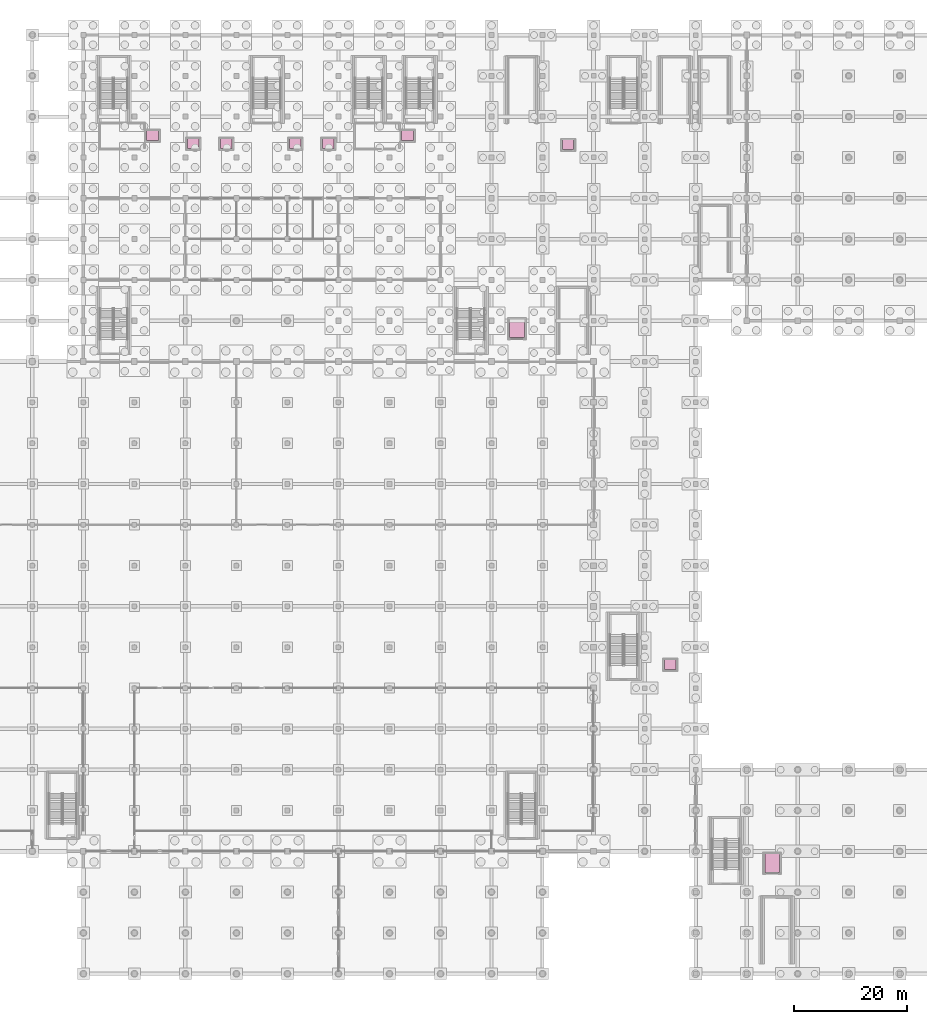
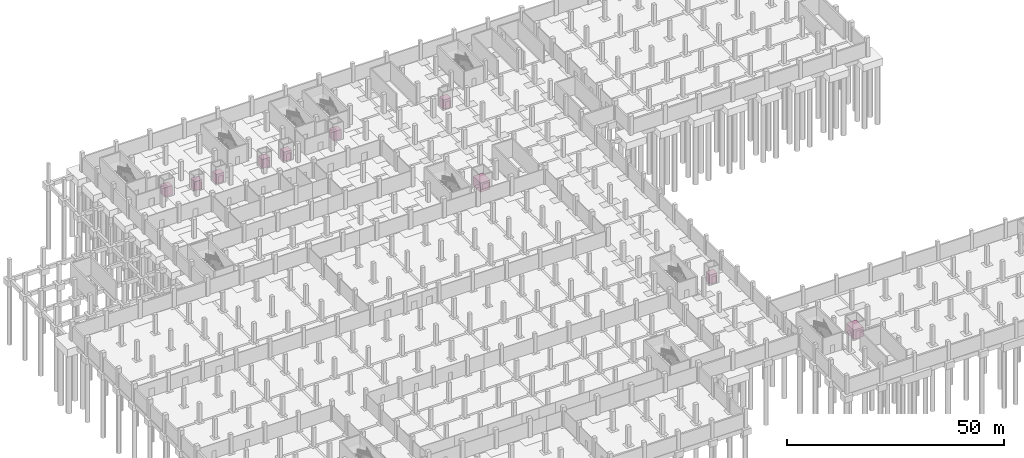
# One storey, part 39 of 39: 10 transport elements.
"""IFC4 building model written with IfcOpenShell, lengths in metres."""

from ifc_helpers import new_model, si_unit, direction, frame, origin, origin_2d, place, context, subcontext, project, spatial, rectangle, extrude, material, type_object, element, save


model = new_model("IFC4")

# Units and contexts
model_context = context("Model", 3, precision=1e-05, world=origin(), true_north=direction((0.0, 1.0)))
body_context = subcontext(model_context, "Body", "Model", "MODEL_VIEW")
ifc_project = project(units=[si_unit("LENGTHUNIT", "METRE"), si_unit("AREAUNIT", "SQUARE_METRE"), si_unit("VOLUMEUNIT", "CUBIC_METRE"), si_unit("PLANEANGLEUNIT", "RADIAN"), si_unit("MASSUNIT", "GRAM", prefix="KILO")], contexts=[model_context])

# Site, building, storey
site_placement = place(None, origin())
site = spatial("IfcSite", under=ifc_project, at=site_placement, CompositionType="ELEMENT")
building_placement = place(site_placement, origin())
building = spatial("IfcBuilding", under=site, at=building_placement, Name="Celestram Park Convention Centre", CompositionType="ELEMENT")
storey_placement = place(building_placement, frame((0.0, 0.0, -5.39990234375)))
storey = spatial("IfcBuildingStorey", under=building, at=storey_placement, Name="B1", CompositionType="ELEMENT", Elevation=-5.39990234375)

# Transport elements
ifc_material_1 = material(Name="Fire-Rated Stainless Steel AISI 316 Cab Assembly", Category="steel")
transport_element_type_1 = type_object("IfcTransportElementType", Name="ARC-LFT-FFL", PredefinedType="ELEVATOR", material=ifc_material_1)
for number, where, z_axis, x_axis, name in (
    (1, (48.199951171875, 147.8798828125, -0.000244140625), (0.0, 0.0, 1.0), (1.0, 0.0, 0.0), "Firefighting Elevator LF-01"),
    (2, (93.199951171875, 147.8798828125, -0.000244140625), (0.0, 0.0, 1.0), (1.0, 0.0, 0.0), "Firefighting Elevator LF-02"),
):
    element("IfcTransportElement", number, at=place(storey_placement, frame(where, z_axis=z_axis, x_axis=x_axis)), inside=storey, type_object=transport_element_type_1, Name=name, PredefinedType="ELEVATOR", context=body_context, shape_type="SweptSolid", body=[
        extrude(rectangle(XDim=2.10009765625, YDim=1.81005859375, at=origin_2d()), origin(), (0.0, 0.0, 1.0), 2.60009765625),
    ])
ifc_material_2 = material(Name="Heavy-Duty Chequer-Plate Steel Freight Cab", Category="steel")
transport_element_type_2 = type_object("IfcTransportElementType", Name="ARC-LFT-GDS", PredefinedType="ELEVATOR", material=ifc_material_2)
for number, where, z_axis, x_axis, name in (
    (3, (112.5, 113.8798828125, -0.000244140625), (0.0, 0.0, 1.0), (1.0, 0.0, 0.0), "Freight Elevator LG-01"),
    (4, (157.5, 19.580078125, -0.000244140625), (0.0, 0.0, 1.0), (1.0, 0.0, 0.0), "Freight Elevator LG-02"),
):
    element("IfcTransportElement", number, at=place(storey_placement, frame(where, z_axis=z_axis, x_axis=x_axis)), inside=storey, type_object=transport_element_type_2, Name=name, PredefinedType="ELEVATOR", context=body_context, shape_type="SweptSolid", body=[
        extrude(rectangle(XDim=2.60009765625, YDim=3.360107421875, at=origin_2d()), origin(), (0.0, 0.0, 1.0), 2.60009765625),
    ])
ifc_material_3 = material(Name="Stainless Steel AISI 304 Cab Assembly", Category="steel")
transport_element_type_3 = type_object("IfcTransportElementType", Name="ARC-LFT-PAS", PredefinedType="ELEVATOR", material=ifc_material_3)
for number, where, z_axis, x_axis, name in (
    (5, (55.39990234375, 146.47998046875, -0.000244140625), (0.0, 0.0, 1.0), (1.0, 0.0, 0.0), "Passenger Elevator LP-01"),
    (6, (61.199951171875, 146.47998046875, -0.000244140625), (0.0, 0.0, 1.0), (1.0, 0.0, 0.0), "Passenger Elevator LP-02"),
    (7, (73.39990234375, 146.47998046875, -0.000244140625), (0.0, 0.0, 1.0), (1.0, 0.0, 0.0), "Passenger Elevator LP-03"),
    (8, (79.199951171875, 146.47998046875, -0.000244140625), (0.0, 0.0, 1.0), (1.0, 0.0, 0.0), "Passenger Elevator LP-04"),
    (9, (139.5, 54.580078125, -0.000244140625), (0.0, 0.0, 1.0), (1.0, 0.0, 0.0), "Passenger Elevator LP-05"),
    (10, (121.5, 146.280029296875, -0.000244140625), (0.0, 0.0, 1.0), (1.0, 0.0, 0.0), "Passenger Elevator LP-06"),
):
    element("IfcTransportElement", number, at=place(storey_placement, frame(where, z_axis=z_axis, x_axis=x_axis)), inside=storey, type_object=transport_element_type_3, Name=name, PredefinedType="ELEVATOR", context=body_context, shape_type="SweptSolid", body=[
        extrude(rectangle(XDim=2.0, YDim=1.760009765625, at=origin_2d()), origin(), (0.0, 0.0, 1.0), 2.60009765625),
    ])

save(model, "model.ifc")
